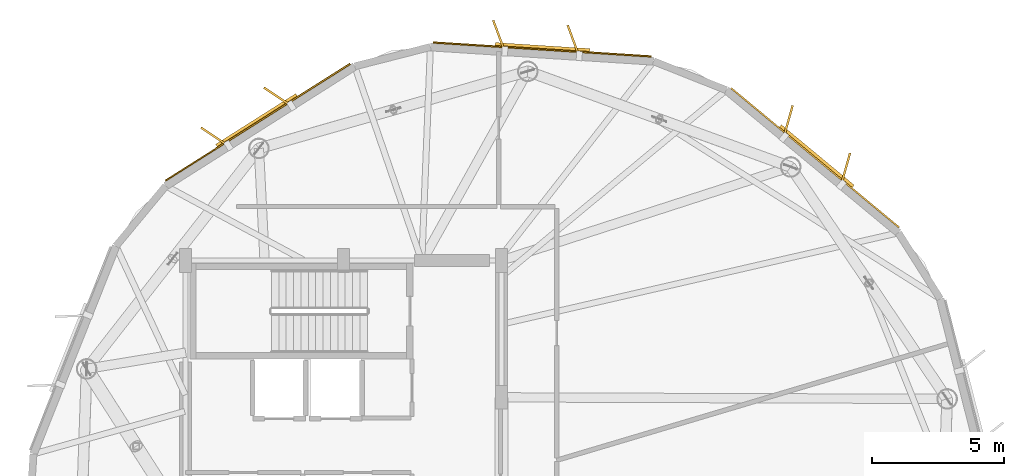
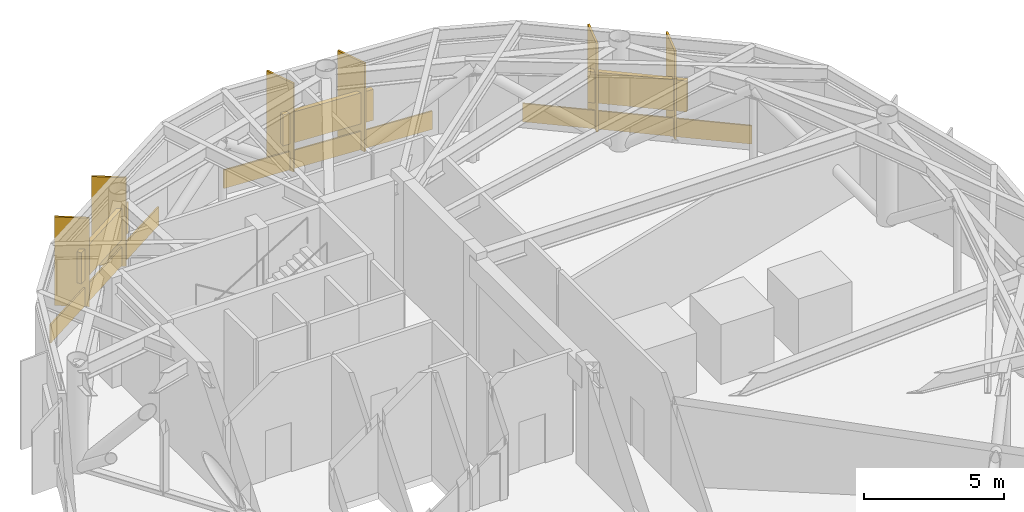
# One storey, part 14 of 14: 9 shading devices, 3 coverings.
"""IFC4 building model written with IfcOpenShell, lengths in metres."""

import ifcopenshell
import ifcopenshell.guid

model = None  # the IFC model being written
_history = None  # IfcOwnerHistory: only IFC2X3 demands one
_inside = {}  # id of a spatial element -> (the spatial element, [elements in it])
_under = {}  # id of a project, library or spatial element -> (it, [spatial elements below it])
_declared = {}  # id of a project -> (the project, [libraries it declares])
_typed = {}  # id of a type object -> (the type object, [elements of that type])
_made_of = {}  # id of a material, layer set ... -> (it, [elements and type objects made of it])


def new_model(schema):
    """Start an empty IFC model of exactly this schema.

    Asked for "IFC4X3", IfcOpenShell would pick the latest addendum, in which some entities
    have other attributes; the version numbers below select the first issue.
    IFC2X3 requires an IfcOwnerHistory on every rooted entity: one is made here for all.
    """
    global model, _history
    if schema == "IFC4X3":
        model = ifcopenshell.file(schema_version=(4, 3, 0, 0))
    else:
        model = ifcopenshell.file(schema=schema)
    _inside.clear()
    _under.clear()
    _declared.clear()
    _typed.clear()
    _made_of.clear()
    _history = None
    if model.schema == "IFC2X3":
        org = make("IfcOrganization", Name="unknown")
        user = make(
            "IfcPersonAndOrganization",
            ThePerson=make("IfcPerson", FamilyName="unknown"),
            TheOrganization=org,
        )
        app = make(
            "IfcApplication",
            ApplicationDeveloper=org,
            Version="unknown",
            ApplicationFullName="unknown",
            ApplicationIdentifier="unknown",
        )
        _history = make(
            "IfcOwnerHistory",
            OwningUser=user,
            OwningApplication=app,
            ChangeAction="ADDED",
            CreationDate=0,
        )
    return model


def make(cls, **values):
    """One entity of the class cls with the attributes given. An attribute that is None is left unset."""
    return model.create_entity(
        cls, **{name: value for name, value in values.items() if value is not None}
    )


def rooted(cls, **values):
    """An entity with a GlobalId (a new one), such as an element, a storey or a relation."""
    return make(cls, GlobalId=ifcopenshell.guid.new(), OwnerHistory=_history, **values)


def si_unit(unit_type, name, prefix=None):
    """IfcSIUnit, for example si_unit("LENGTHUNIT", "METRE", prefix="MILLI")."""
    return make("IfcSIUnit", UnitType=unit_type, Prefix=prefix, Name=name)


def assignment(units):
    """IfcUnitAssignment: the units of a project."""
    return None if units is None else make("IfcUnitAssignment", Units=units)


def point(xyz):
    """IfcCartesianPoint."""
    return None if xyz is None else make("IfcCartesianPoint", Coordinates=xyz)


def direction(xyz):
    """IfcDirection."""
    return None if xyz is None else make("IfcDirection", DirectionRatios=xyz)


def frame(location, z_axis=None, x_axis=None):
    """IfcAxis2Placement3D, a coordinate frame: its origin and axes. An axis left out is left unset."""
    return make(
        "IfcAxis2Placement3D",
        Location=point(location),
        Axis=direction(z_axis),
        RefDirection=direction(x_axis),
    )


def frame_2d(location, x_axis=None):
    """IfcAxis2Placement2D, a coordinate frame in the plane: its origin and x axis."""
    return make(
        "IfcAxis2Placement2D", Location=point(location), RefDirection=direction(x_axis)
    )


def origin():
    """The frame at (0, 0, 0) with its axes left unset."""
    return frame((0.0, 0.0, 0.0))


def origin_2d():
    """The frame at (0, 0) in the plane with its x axis left unset."""
    return frame_2d((0.0, 0.0))


def place(relative_to, where):
    """IfcLocalPlacement: puts the frame where relative to a parent placement (None: the world)."""
    return make(
        "IfcLocalPlacement", PlacementRelTo=relative_to, RelativePlacement=where
    )


def context(
    kind, dimensions, precision=None, world=None, true_north=None, identifier=None
):
    """IfcGeometricRepresentationContext, for example the 3D "Model" context."""
    return make(
        "IfcGeometricRepresentationContext",
        ContextIdentifier=identifier,
        ContextType=kind,
        CoordinateSpaceDimension=dimensions,
        Precision=precision,
        WorldCoordinateSystem=world,
        TrueNorth=true_north,
    )


def subcontext(parent, identifier, kind, view, scale=None):
    """IfcGeometricRepresentationSubContext, for example "Body" below "Model"."""
    return make(
        "IfcGeometricRepresentationSubContext",
        ContextIdentifier=identifier,
        ContextType=kind,
        ParentContext=parent,
        TargetScale=scale,
        TargetView=view,
    )


def project(units=None, contexts=None):
    """IfcProject with its units and contexts."""
    return rooted(
        "IfcProject",
        Name="project",
        RepresentationContexts=contexts,
        UnitsInContext=assignment(units),
    )


def spatial(cls, under=None, at=None, **own):
    """A site, building, storey or space (cls), placed at a placement, below another one or the project."""
    s = rooted(cls, ObjectPlacement=at, **own)
    if under is not None:
        _under.setdefault(under.id(), (under, []))[1].append(s)
    return s


def profile(cls, at=None, kind="AREA", **sizes):
    """A parametric profile (cls). Its sizes go by their IFC names, for example OverallWidth=200.0."""
    return make(cls, ProfileType=kind, Position=at, **sizes)


def rectangle(**sizes):
    """IfcRectangleProfileDef."""
    return profile("IfcRectangleProfileDef", **sizes)


def extrude(swept, where, along, depth):
    """IfcExtrudedAreaSolid: the profile swept, set in the frame where, extruded along a direction by depth."""
    return make(
        "IfcExtrudedAreaSolid",
        SweptArea=swept,
        Position=where,
        ExtrudedDirection=direction(along),
        Depth=depth,
    )


def shape(context_of_items, identifier, shape_type, items):
    """IfcShapeRepresentation: the items that make up one representation, for example the "Body"."""
    return make(
        "IfcShapeRepresentation",
        ContextOfItems=context_of_items,
        RepresentationIdentifier=identifier,
        RepresentationType=shape_type,
        Items=items,
    )


def material(Name=None, Category=None):
    """IfcMaterial."""
    return make("IfcMaterial", Name=Name, Category=Category)


def layer(
    of_material, thickness, ventilated=None, Name=None, Category=None, Priority=None
):
    """IfcMaterialLayer: one layer of a wall or slab, of a material (None: an air gap)."""
    return make(
        "IfcMaterialLayer",
        Material=of_material,
        LayerThickness=thickness,
        IsVentilated=ventilated,
        Name=Name,
        Category=Category,
        Priority=Priority,
    )


def layer_set(layers, Name=None):
    """IfcMaterialLayerSet."""
    return make("IfcMaterialLayerSet", MaterialLayers=layers, LayerSetName=Name)


def made_of(thing, what):
    """Note that an element or type object is made of a material, layer set ...; save() writes the relation."""
    if what is not None:
        _made_of.setdefault(what.id(), (what, []))[1].append(thing)
    return thing


def type_object(cls, material=None, **own):
    """A type object (cls), such as IfcWallType, which elements share."""
    return made_of(rooted(cls, **own), material)


def element(
    cls,
    number,
    at=None,
    inside=None,
    cuts=None,
    type_object=None,
    material=None,
    context=None,
    identifier="Body",
    shape_type=None,
    held_by="IfcProductDefinitionShape",
    body=None,
    shapes=None,
    **own,
):
    """One element of the class cls, such as IfcWall. Its Tag is "e" and its number.

    at: its placement. inside: the storey or other place that contains it. cuts: it is an
    opening in that element (IfcRelVoidsElement). A single representation is given by context,
    identifier, shape_type and body (its items); several are given by shapes. held_by: the class
    of the entity that holds the representations. save() writes the other relations.
    """
    e = rooted(cls, Tag="e%d" % number, ObjectPlacement=at, **own)
    if body is not None:
        shapes = [shape(context, identifier, shape_type, body)]
    if shapes is not None:
        e.Representation = make(held_by, Representations=shapes)
    if inside is not None:
        _inside.setdefault(inside.id(), (inside, []))[1].append(e)
    if cuts is not None:
        rooted(
            "IfcRelVoidsElement", RelatingBuildingElement=cuts, RelatedOpeningElement=e
        )
    if type_object is not None:
        _typed.setdefault(type_object.id(), (type_object, []))[1].append(e)
    return made_of(e, material)


def aggregate(whole, parts):
    """IfcRelAggregates: a whole, such as a stair, and the parts it consists of."""
    return rooted("IfcRelAggregates", RelatingObject=whole, RelatedObjects=parts)


def save(model, path):
    """Write the relations noted so far, then the file.

    IfcRelAggregates (storeys below a building ...), IfcRelContainedInSpatialStructure (elements
    in a storey), IfcRelDefinesByType, IfcRelAssociatesMaterial and IfcRelDeclares: one each for
    every whole, place, type object, material and project.
    """
    for whole, parts in _under.values():
        aggregate(whole, parts)
    for where, things in _inside.values():
        rooted(
            "IfcRelContainedInSpatialStructure",
            RelatedElements=things,
            RelatingStructure=where,
        )
    for kind, things in _typed.values():
        rooted("IfcRelDefinesByType", RelatedObjects=things, RelatingType=kind)
    for what, things in _made_of.values():
        rooted("IfcRelAssociatesMaterial", RelatedObjects=things, RelatingMaterial=what)
    for by, libraries in _declared.values():
        rooted("IfcRelDeclares", RelatingContext=by, RelatedDefinitions=libraries)
    model.write(path)


model = new_model("IFC4")

# Units and contexts
model_context = context("Model", 3, precision=1e-05, world=origin(), true_north=direction((0.0, 1.0)))
body_context = subcontext(model_context, "Body", "Model", "MODEL_VIEW")
ifc_project = project(units=[si_unit("LENGTHUNIT", "METRE"), si_unit("AREAUNIT", "SQUARE_METRE"), si_unit("VOLUMEUNIT", "CUBIC_METRE"), si_unit("PLANEANGLEUNIT", "RADIAN"), si_unit("MASSUNIT", "GRAM", prefix="KILO")], contexts=[model_context])

# Site, building, storey
site_placement = place(None, origin())
site = spatial("IfcSite", under=ifc_project, at=site_placement, CompositionType="ELEMENT")
building_placement = place(site_placement, origin())
building = spatial("IfcBuilding", under=site, at=building_placement, Name="Soratama Intermodal Tower", CompositionType="ELEMENT")
storey_placement = place(building_placement, frame((0.0, 0.0, 283.75)))
storey = spatial("IfcBuildingStorey", under=building, at=storey_placement, Name="L72", CompositionType="ELEMENT", Elevation=283.75)

# Coverings
ifc_material_1 = material(Name="Honed Andean limestone cladding", Category="masonry")
ifc_layer_1 = layer(ifc_material_1, 0.06005859375)
ifc_layer_set_1 = layer_set([ifc_layer_1], Name="Honed Andean limestone cladding")
covering_type = type_object("IfcCoveringType", Name="CV-STONE-CLAD", PredefinedType="CLADDING", material=ifc_layer_set_1)
for number, where, z_axis, x_axis, name in (
    (1, (46.152587890625, 43.01806640625, 0.0498046875), (0.0, 0.0, 1.0), (-0.997960427133, 0.063835616056, 0.0), "L72 Stone Cladding F01"),
    (2, (35.341796875, 40.25439453125, 0.0498046875), (0.0, 0.0, 1.0), (-0.844888578952, -0.534942323205, 0.0), "L72 Stone Cladding F02"),
    (3, (56.523193359375, 38.8994140625, 0.0498046875), (0.0, 0.0, 1.0), (-0.769845311576, 0.638230519675, 0.0), "L72 Stone Cladding F10"),
):
    element("IfcCovering", number, at=place(storey_placement, frame(where, z_axis=z_axis, x_axis=x_axis)), inside=storey, type_object=covering_type, Name=name, PredefinedType="CLADDING", context=body_context, shape_type="SweptSolid", body=[
        extrude(rectangle(XDim=8.2998046875, YDim=0.06005859375, at=origin_2d()), origin(), (0.0, 0.0, 1.0), 0.800048828125),
    ])

# Shading devices
ifc_material_2 = material(Name="Champagne anodised aluminium solar fin", Category="aluminium")
ifc_layer_2 = layer(ifc_material_2, 0.080078125)
ifc_layer_set_2 = layer_set([ifc_layer_2], Name="Champagne anodised aluminium solar fin")
shading_device_type_1 = type_object("IfcShadingDeviceType", Name="SH-FIN-1250", PredefinedType="USERDEFINED", material=ifc_layer_set_2)
for number, where, z_axis, x_axis, name in (
    (4, (47.330810546875, 43.357666015625, 0.02001953125), (0.0, 0.0, 1.0), (-0.347590336971, 0.937646499297, 0.0), "L72 Solar Fin F01-1"),
    (5, (44.50341796875, 43.53857421875, 0.02001953125), (0.0, 0.0, 1.0), (-0.347590336971, 0.937646499297, 0.0), "L72 Solar Fin F01-2"),
    (6, (36.09521484375, 41.2216796875, 0.02001953125), (0.0, 0.0, 1.0), (-0.832341273841, 0.554263478737, 0.0), "L72 Solar Fin F02-1"),
    (7, (33.701416015625, 39.7060546875, 0.02001953125), (0.0, 0.0, 1.0), (-0.832341273841, 0.554263478737, 0.0), "L72 Solar Fin F02-2"),
    (8, (57.676025390625, 38.481689453125, 0.02001953125), (0.0, 0.0, 1.0), (0.26992829446, 0.962880426559, 0.0), "L72 Solar Fin F10-1"),
    (9, (55.4951171875, 40.289794921875, 0.02001953125), (0.0, 0.0, 1.0), (0.26992829446, 0.962880426559, 0.0), "L72 Solar Fin F10-2"),
):
    element("IfcShadingDevice", number, at=place(storey_placement, frame(where, z_axis=z_axis, x_axis=x_axis)), inside=storey, type_object=shading_device_type_1, Name=name, ObjectType="FIN", PredefinedType="USERDEFINED", context=body_context, shape_type="SweptSolid", body=[
        extrude(rectangle(XDim=1.25, YDim=0.080078125, at=origin_2d()), origin(), (0.0, 0.0, 1.0), 3.85888671875),
    ])
ifc_material_3 = material(Name="Anodised aluminium weather louvre", Category="aluminium")
ifc_layer_3 = layer(ifc_material_3, 0.1201171875)
ifc_layer_set_3 = layer_set([ifc_layer_3], Name="Anodised aluminium weather louvre")
shading_device_type_2 = type_object("IfcShadingDeviceType", Name="SH-LOUVRE-PLANT", PredefinedType="JALOUSIE", material=ifc_layer_set_3)
for number, where, z_axis, x_axis, name in (
    (10, (46.156494140625, 43.077880859375, 1.175048828125), (0.0, 0.0, 1.0), (-0.997960427133, 0.063835616056, 0.0), "L72 Acoustic Louvre F01"),
    (11, (35.3095703125, 40.304931640625, 1.175048828125), (0.0, 0.0, 1.0), (-0.844888578952, -0.534942323205, 0.0), "L72 Acoustic Louvre F02"),
    (12, (56.561279296875, 38.945556640625, 1.175048828125), (0.0, 0.0, 1.0), (-0.769845311576, 0.638230519675, 0.0), "L72 Acoustic Louvre F10"),
):
    element("IfcShadingDevice", number, at=place(storey_placement, frame(where, z_axis=z_axis, x_axis=x_axis)), inside=storey, type_object=shading_device_type_2, Name=name, PredefinedType="JALOUSIE", context=body_context, shape_type="SweptSolid", body=[
        extrude(rectangle(XDim=3.60009765625, YDim=0.179931640625, at=origin_2d()), origin(), (0.0, 0.0, 1.0), 1.35009765625),
    ])

save(model, "model.ifc")
